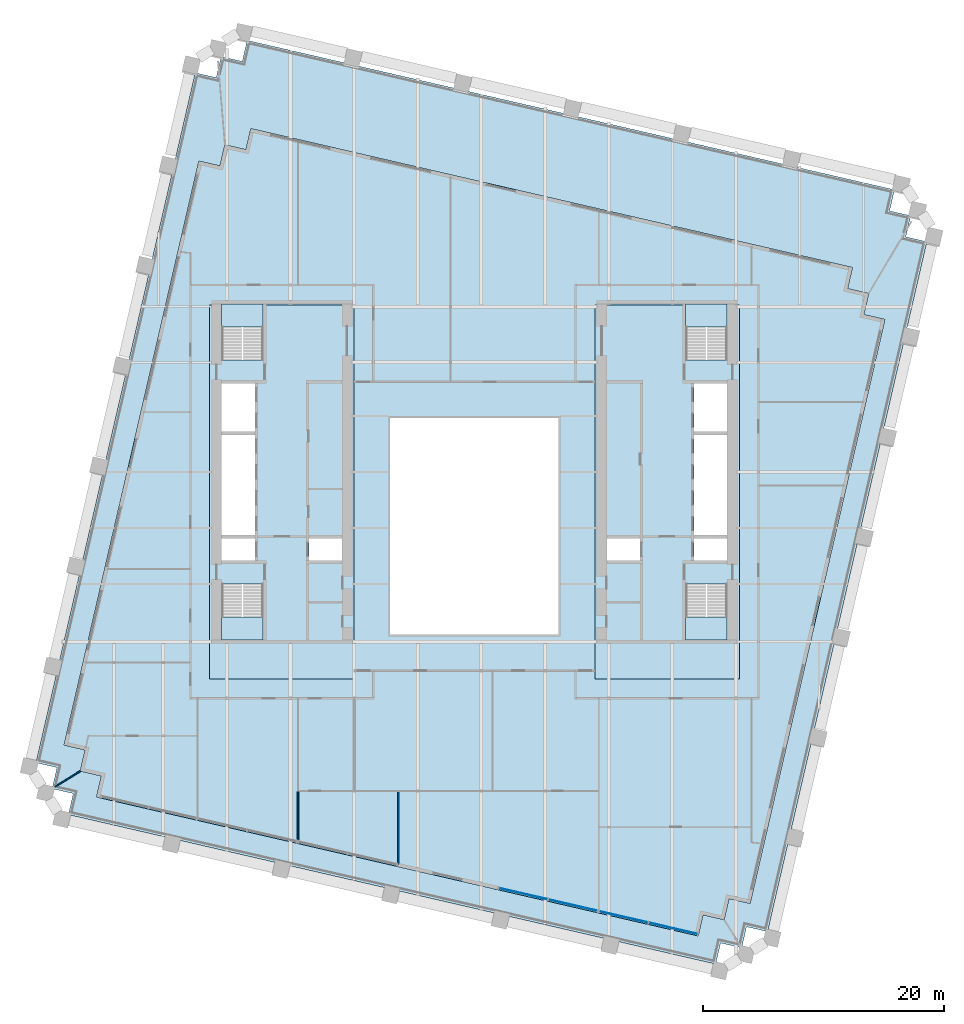
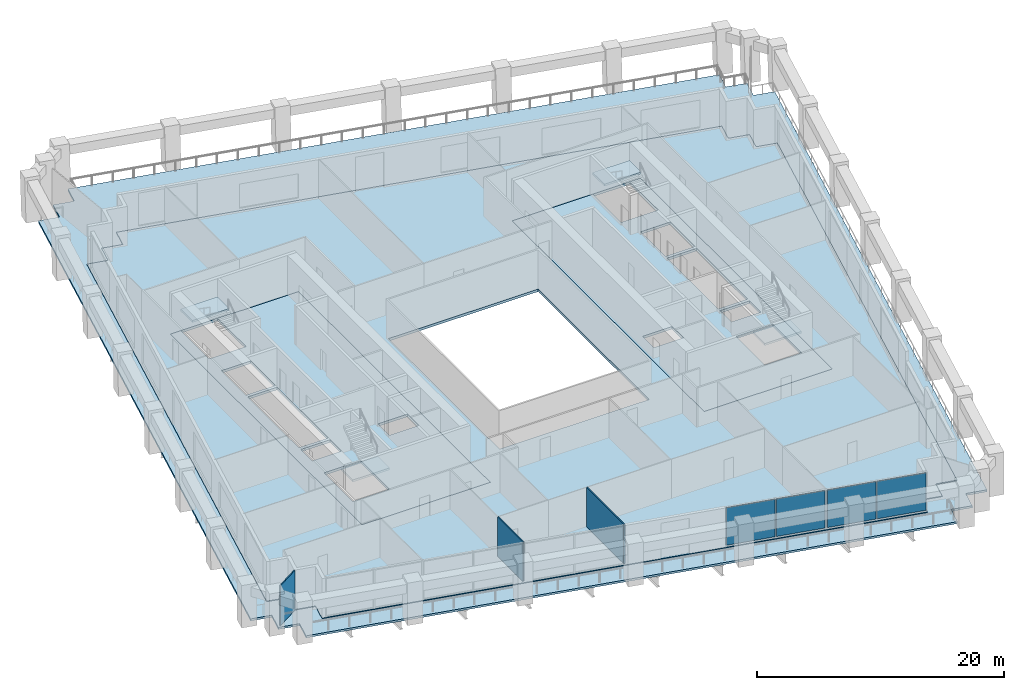
# One storey, part 5 of 12: 8 slabs, 4 plates, 3 walls, 6 elements without a shape of their own.
"""IFC4 building model written with IfcOpenShell, lengths in metres."""

import ifcopenshell
import ifcopenshell.guid

model = None  # the IFC model being written
_history = None  # IfcOwnerHistory: only IFC2X3 demands one
_inside = {}  # id of a spatial element -> (the spatial element, [elements in it])
_under = {}  # id of a project, library or spatial element -> (it, [spatial elements below it])
_declared = {}  # id of a project -> (the project, [libraries it declares])
_typed = {}  # id of a type object -> (the type object, [elements of that type])
_made_of = {}  # id of a material, layer set ... -> (it, [elements and type objects made of it])


def new_model(schema):
    """Start an empty IFC model of exactly this schema.

    Asked for "IFC4X3", IfcOpenShell would pick the latest addendum, in which some entities
    have other attributes; the version numbers below select the first issue.
    IFC2X3 requires an IfcOwnerHistory on every rooted entity: one is made here for all.
    """
    global model, _history
    if schema == "IFC4X3":
        model = ifcopenshell.file(schema_version=(4, 3, 0, 0))
    else:
        model = ifcopenshell.file(schema=schema)
    _inside.clear()
    _under.clear()
    _declared.clear()
    _typed.clear()
    _made_of.clear()
    _history = None
    if model.schema == "IFC2X3":
        org = make("IfcOrganization", Name="unknown")
        user = make(
            "IfcPersonAndOrganization",
            ThePerson=make("IfcPerson", FamilyName="unknown"),
            TheOrganization=org,
        )
        app = make(
            "IfcApplication",
            ApplicationDeveloper=org,
            Version="unknown",
            ApplicationFullName="unknown",
            ApplicationIdentifier="unknown",
        )
        _history = make(
            "IfcOwnerHistory",
            OwningUser=user,
            OwningApplication=app,
            ChangeAction="ADDED",
            CreationDate=0,
        )
    return model


def make(cls, **values):
    """One entity of the class cls with the attributes given. An attribute that is None is left unset."""
    return model.create_entity(
        cls, **{name: value for name, value in values.items() if value is not None}
    )


def rooted(cls, **values):
    """An entity with a GlobalId (a new one), such as an element, a storey or a relation."""
    return make(cls, GlobalId=ifcopenshell.guid.new(), OwnerHistory=_history, **values)


def si_unit(unit_type, name, prefix=None):
    """IfcSIUnit, for example si_unit("LENGTHUNIT", "METRE", prefix="MILLI")."""
    return make("IfcSIUnit", UnitType=unit_type, Prefix=prefix, Name=name)


def assignment(units):
    """IfcUnitAssignment: the units of a project."""
    return None if units is None else make("IfcUnitAssignment", Units=units)


def point(xyz):
    """IfcCartesianPoint."""
    return None if xyz is None else make("IfcCartesianPoint", Coordinates=xyz)


def direction(xyz):
    """IfcDirection."""
    return None if xyz is None else make("IfcDirection", DirectionRatios=xyz)


def frame(location, z_axis=None, x_axis=None):
    """IfcAxis2Placement3D, a coordinate frame: its origin and axes. An axis left out is left unset."""
    return make(
        "IfcAxis2Placement3D",
        Location=point(location),
        Axis=direction(z_axis),
        RefDirection=direction(x_axis),
    )


def frame_2d(location, x_axis=None):
    """IfcAxis2Placement2D, a coordinate frame in the plane: its origin and x axis."""
    return make(
        "IfcAxis2Placement2D", Location=point(location), RefDirection=direction(x_axis)
    )


def origin():
    """The frame at (0, 0, 0) with its axes left unset."""
    return frame((0.0, 0.0, 0.0))


def origin_2d():
    """The frame at (0, 0) in the plane with its x axis left unset."""
    return frame_2d((0.0, 0.0))


def place(relative_to, where):
    """IfcLocalPlacement: puts the frame where relative to a parent placement (None: the world)."""
    return make(
        "IfcLocalPlacement", PlacementRelTo=relative_to, RelativePlacement=where
    )


def context(
    kind, dimensions, precision=None, world=None, true_north=None, identifier=None
):
    """IfcGeometricRepresentationContext, for example the 3D "Model" context."""
    return make(
        "IfcGeometricRepresentationContext",
        ContextIdentifier=identifier,
        ContextType=kind,
        CoordinateSpaceDimension=dimensions,
        Precision=precision,
        WorldCoordinateSystem=world,
        TrueNorth=true_north,
    )


def subcontext(parent, identifier, kind, view, scale=None):
    """IfcGeometricRepresentationSubContext, for example "Body" below "Model"."""
    return make(
        "IfcGeometricRepresentationSubContext",
        ContextIdentifier=identifier,
        ContextType=kind,
        ParentContext=parent,
        TargetScale=scale,
        TargetView=view,
    )


def project(units=None, contexts=None):
    """IfcProject with its units and contexts."""
    return rooted(
        "IfcProject",
        Name="project",
        RepresentationContexts=contexts,
        UnitsInContext=assignment(units),
    )


def spatial(cls, under=None, at=None, **own):
    """A site, building, storey or space (cls), placed at a placement, below another one or the project."""
    s = rooted(cls, ObjectPlacement=at, **own)
    if under is not None:
        _under.setdefault(under.id(), (under, []))[1].append(s)
    return s


def polyline(points):
    """IfcPolyline through the points."""
    return make("IfcPolyline", Points=[point(p) for p in points])


def profile(cls, at=None, kind="AREA", **sizes):
    """A parametric profile (cls). Its sizes go by their IFC names, for example OverallWidth=200.0."""
    return make(cls, ProfileType=kind, Position=at, **sizes)


def rectangle(**sizes):
    """IfcRectangleProfileDef."""
    return profile("IfcRectangleProfileDef", **sizes)


def outline(outer, holes=None, kind="AREA"):
    """IfcArbitraryClosedProfileDef: a profile drawn as a closed curve; with holes, ...WithVoids."""
    if holes is None:
        return make("IfcArbitraryClosedProfileDef", ProfileType=kind, OuterCurve=outer)
    return make(
        "IfcArbitraryProfileDefWithVoids",
        ProfileType=kind,
        OuterCurve=outer,
        InnerCurves=holes,
    )


def extrude(swept, where, along, depth):
    """IfcExtrudedAreaSolid: the profile swept, set in the frame where, extruded along a direction by depth."""
    return make(
        "IfcExtrudedAreaSolid",
        SweptArea=swept,
        Position=where,
        ExtrudedDirection=direction(along),
        Depth=depth,
    )


def shape(context_of_items, identifier, shape_type, items):
    """IfcShapeRepresentation: the items that make up one representation, for example the "Body"."""
    return make(
        "IfcShapeRepresentation",
        ContextOfItems=context_of_items,
        RepresentationIdentifier=identifier,
        RepresentationType=shape_type,
        Items=items,
    )


def material(Name=None, Category=None):
    """IfcMaterial."""
    return make("IfcMaterial", Name=Name, Category=Category)


def layer(
    of_material, thickness, ventilated=None, Name=None, Category=None, Priority=None
):
    """IfcMaterialLayer: one layer of a wall or slab, of a material (None: an air gap)."""
    return make(
        "IfcMaterialLayer",
        Material=of_material,
        LayerThickness=thickness,
        IsVentilated=ventilated,
        Name=Name,
        Category=Category,
        Priority=Priority,
    )


def layer_set(layers, Name=None):
    """IfcMaterialLayerSet."""
    return make("IfcMaterialLayerSet", MaterialLayers=layers, LayerSetName=Name)


def made_of(thing, what):
    """Note that an element or type object is made of a material, layer set ...; save() writes the relation."""
    if what is not None:
        _made_of.setdefault(what.id(), (what, []))[1].append(thing)
    return thing


def type_object(cls, material=None, **own):
    """A type object (cls), such as IfcWallType, which elements share."""
    return made_of(rooted(cls, **own), material)


def element(
    cls,
    number,
    at=None,
    inside=None,
    cuts=None,
    type_object=None,
    material=None,
    context=None,
    identifier="Body",
    shape_type=None,
    held_by="IfcProductDefinitionShape",
    body=None,
    shapes=None,
    **own,
):
    """One element of the class cls, such as IfcWall. Its Tag is "e" and its number.

    at: its placement. inside: the storey or other place that contains it. cuts: it is an
    opening in that element (IfcRelVoidsElement). A single representation is given by context,
    identifier, shape_type and body (its items); several are given by shapes. held_by: the class
    of the entity that holds the representations. save() writes the other relations.
    """
    e = rooted(cls, Tag="e%d" % number, ObjectPlacement=at, **own)
    if body is not None:
        shapes = [shape(context, identifier, shape_type, body)]
    if shapes is not None:
        e.Representation = make(held_by, Representations=shapes)
    if inside is not None:
        _inside.setdefault(inside.id(), (inside, []))[1].append(e)
    if cuts is not None:
        rooted(
            "IfcRelVoidsElement", RelatingBuildingElement=cuts, RelatedOpeningElement=e
        )
    if type_object is not None:
        _typed.setdefault(type_object.id(), (type_object, []))[1].append(e)
    return made_of(e, material)


def aggregate(whole, parts):
    """IfcRelAggregates: a whole, such as a stair, and the parts it consists of."""
    return rooted("IfcRelAggregates", RelatingObject=whole, RelatedObjects=parts)


def save(model, path):
    """Write the relations noted so far, then the file.

    IfcRelAggregates (storeys below a building ...), IfcRelContainedInSpatialStructure (elements
    in a storey), IfcRelDefinesByType, IfcRelAssociatesMaterial and IfcRelDeclares: one each for
    every whole, place, type object, material and project.
    """
    for whole, parts in _under.values():
        aggregate(whole, parts)
    for where, things in _inside.values():
        rooted(
            "IfcRelContainedInSpatialStructure",
            RelatedElements=things,
            RelatingStructure=where,
        )
    for kind, things in _typed.values():
        rooted("IfcRelDefinesByType", RelatedObjects=things, RelatingType=kind)
    for what, things in _made_of.values():
        rooted("IfcRelAssociatesMaterial", RelatedObjects=things, RelatingMaterial=what)
    for by, libraries in _declared.values():
        rooted("IfcRelDeclares", RelatingContext=by, RelatedDefinitions=libraries)
    model.write(path)


model = new_model("IFC4")

# Units and contexts
model_context = context("Model", 3, precision=1e-05, world=origin(), true_north=direction((0.0, 1.0)))
body_context = subcontext(model_context, "Body", "Model", "MODEL_VIEW")
ifc_project = project(units=[si_unit("LENGTHUNIT", "METRE"), si_unit("AREAUNIT", "SQUARE_METRE"), si_unit("VOLUMEUNIT", "CUBIC_METRE"), si_unit("PLANEANGLEUNIT", "RADIAN"), si_unit("MASSUNIT", "GRAM", prefix="KILO")], contexts=[model_context])

# Site, building, storey
site_placement = place(None, origin())
site = spatial("IfcSite", under=ifc_project, at=site_placement, CompositionType="ELEMENT")
building_placement = place(site_placement, origin())
building = spatial("IfcBuilding", under=site, at=building_placement, Name="Ogive Exchange Tower", CompositionType="ELEMENT")
storey_placement = place(building_placement, frame((0.0, 0.0, 156.0)))
storey = spatial("IfcBuildingStorey", under=building, at=storey_placement, Name="L34", CompositionType="ELEMENT", Elevation=156.0)

# Slabs
ifc_material_1 = material(Name="Concrete C50/60", Category="concrete")
ifc_layer_1 = layer(ifc_material_1, 0.25)
ifc_layer_set_1 = layer_set([ifc_layer_1], Name="Composite floor slab 250")
slab_type_1 = type_object("IfcSlabType", Name="Composite floor slab 250", PredefinedType="FLOOR", material=ifc_layer_set_1)
slab_1_placement = place(storey_placement, frame((0.0, 0.0, -0.25)))
element("IfcSlab", 1, at=slab_1_placement, inside=storey, type_object=slab_type_1, Name="Composite floor slab", PredefinedType="FLOOR", context=body_context, shape_type="SweptSolid", body=[
    extrude(outline(polyline([(-30.998779296875, -13.74560546875), (-32.752685546875, -13.3408203125), (-32.34765625, -11.5869140625), (-34.1015625, -11.181884765625), (-22.89892578125, 37.341552734375), (-21.145263671875, 36.936767578125), (-20.740234375, 38.690673828125), (-18.986328125, 38.28564453125), (-18.58154296875, 40.03955078125), (31.40380859375, 28.49951171875), (30.998779296875, 26.74560546875), (32.752685546875, 26.3408203125), (32.34765625, 24.5869140625), (34.1015625, 24.181884765625), (22.89892578125, -24.341552734375), (21.145263671875, -23.936767578125), (20.740234375, -25.690673828125), (18.986328125, -25.28564453125), (18.58154296875, -27.03955078125), (-31.40380859375, -15.49951171875), (-30.998779296875, -13.74560546875)]), holes=[polyline([(7.0, -2.0), (7.0, 16.0), (-7.0, 16.0), (-7.0, -2.0), (7.0, -2.0)]), polyline([(-22.0, -5.699951171875), (-10.0, -5.699951171875), (-10.0, 25.39990234375), (-22.0, 25.39990234375), (-22.0, -5.699951171875)]), polyline([(10.0, -5.699951171875), (22.0, -5.699951171875), (22.0, 25.39990234375), (10.0, 25.39990234375), (10.0, -5.699951171875)])]), origin(), (0.0, 0.0, 1.0), 0.25),
])
ifc_material_2 = material(Name="Concrete C70/85", Category="concrete")
ifc_layer_2 = layer(ifc_material_2, 0.25)
ifc_layer_set_2 = layer_set([ifc_layer_2], Name="Core floor slab 250")
slab_type_2 = type_object("IfcSlabType", Name="Core floor slab 250", PredefinedType="FLOOR", material=ifc_layer_set_2)
slab_2_placement = place(storey_placement, frame((0.0, 0.0, -0.25)))
element("IfcSlab", 2, at=slab_2_placement, inside=storey, type_object=slab_type_2, Name="Core floor slab", PredefinedType="FLOOR", context=body_context, shape_type="SweptSolid", body=[
    extrude(outline(polyline([(-10.0, 25.39990234375), (-10.0, -5.699951171875), (-22.0, -5.699951171875), (-22.0, 25.39990234375), (-21.0, 25.39990234375), (-21.0, 20.803955078125), (-17.550048828125, 20.803955078125), (-17.550048828125, 25.39990234375), (-10.0, 25.39990234375)]), holes=[polyline([(-17.550048828125, 2.196044921875), (-21.0, 2.196044921875), (-21.0, -2.449951171875), (-17.550048828125, -2.449951171875), (-17.550048828125, 2.196044921875)]), polyline([(-18.25, 5.992919921875), (-21.0, 5.992919921875), (-21.0, 4.14990234375), (-18.25, 4.14990234375), (-18.25, 5.992919921875)]), polyline([(-11.0, 5.992919921875), (-13.75, 5.992919921875), (-13.75, 4.14990234375), (-11.0, 4.14990234375), (-11.0, 5.992919921875)]), polyline([(-21.0, 14.564208984375), (-21.0, 6.29296875), (-18.25, 6.29296875), (-18.25, 14.564208984375), (-21.0, 14.564208984375)]), polyline([(-18.25, 18.85009765625), (-21.0, 18.85009765625), (-21.0, 14.8642578125), (-18.25, 14.8642578125), (-18.25, 18.85009765625)])]), origin(), (0.0, 0.0, 1.0), 0.25),
])
slab_3_placement = place(storey_placement, frame((0.0, 0.0, -0.25)))
element("IfcSlab", 3, at=slab_3_placement, inside=storey, type_object=slab_type_2, Name="Core floor slab", PredefinedType="FLOOR", context=body_context, shape_type="SweptSolid", body=[
    extrude(outline(polyline([(22.0, 25.39990234375), (22.0, -5.699951171875), (10.0, -5.699951171875), (10.0, 25.39990234375), (17.550048828125, 25.39990234375), (17.550048828125, 20.803955078125), (21.0, 20.803955078125), (21.0, 25.39990234375), (22.0, 25.39990234375)]), holes=[polyline([(21.0, 2.196044921875), (17.550048828125, 2.196044921875), (17.550048828125, -2.449951171875), (21.0, -2.449951171875), (21.0, 2.196044921875)]), polyline([(13.75, 5.992919921875), (11.0, 5.992919921875), (11.0, 4.14990234375), (13.75, 4.14990234375), (13.75, 5.992919921875)]), polyline([(21.0, 5.992919921875), (18.25, 5.992919921875), (18.25, 4.14990234375), (21.0, 4.14990234375), (21.0, 5.992919921875)]), polyline([(18.25, 14.564208984375), (18.25, 6.29296875), (21.0, 6.29296875), (21.0, 14.564208984375), (18.25, 14.564208984375)]), polyline([(21.0, 18.85009765625), (18.25, 18.85009765625), (18.25, 14.8642578125), (21.0, 14.8642578125), (21.0, 18.85009765625)])]), origin(), (0.0, 0.0, 1.0), 0.25),
])
ifc_layer_3 = layer(ifc_material_1, 0.199951171875)
ifc_layer_set_3 = layer_set([ifc_layer_3], Name="Loggia deck 200")
slab_type_3 = type_object("IfcSlabType", Name="Loggia deck 200", PredefinedType="FLOOR", material=ifc_layer_set_3)
slab_4_placement = place(storey_placement, frame((0.0, 0.0, -0.25)))
element("IfcSlab", 4, at=slab_4_placement, inside=storey, type_object=slab_type_3, Name="Loggia deck", PredefinedType="FLOOR", context=body_context, shape_type="SweptSolid", body=[
    extrude(outline(polyline([(-33.33740234375, -15.20703125), (-35.09130859375, -14.802001953125), (-34.686279296875, -13.04833984375), (-36.440185546875, -12.643310546875), (-23.20703125, 44.67626953125), (-21.453125, 44.271240234375), (-21.048095703125, 46.025146484375), (-19.29443359375, 45.6201171875), (-18.889404296875, 47.3740234375), (34.895751953125, 34.956787109375), (34.49072265625, 33.202880859375), (36.24462890625, 32.798095703125), (35.83984375, 31.044189453125), (37.59375, 30.63916015625), (24.3603515625, -26.680419921875), (22.6064453125, -26.275390625), (22.20166015625, -28.029296875), (20.44775390625, -27.62451171875), (20.04296875, -29.378173828125), (-33.742431640625, -16.9609375), (-33.33740234375, -15.20703125)]), holes=[polyline([(18.986328125, -25.28564453125), (20.740234375, -25.690673828125), (21.145263671875, -23.936767578125), (22.89892578125, -24.341552734375), (34.1015625, 24.181884765625), (32.34765625, 24.5869140625), (32.752685546875, 26.3408203125), (30.998779296875, 26.74560546875), (31.40380859375, 28.49951171875), (-18.58154296875, 40.03955078125), (-18.986328125, 38.28564453125), (-20.740234375, 38.690673828125), (-21.145263671875, 36.936767578125), (-22.89892578125, 37.341552734375), (-34.1015625, -11.181884765625), (-32.34765625, -11.5869140625), (-32.752685546875, -13.3408203125), (-30.998779296875, -13.74560546875), (-31.40380859375, -15.49951171875), (18.58154296875, -27.03955078125), (18.986328125, -25.28564453125)])]), origin(), (0.0, 0.0, 1.0), 0.199951171875),
])

# Curtain wall, plates
ifc_material_3 = material(Name="Anodised aluminium and clear glass", Category="aluminium")
curtain_wall_type = type_object("IfcCurtainWallType", Name="Executive floor glazing", PredefinedType="NOTDEFINED", material=ifc_material_3)
curtain_wall_1_placement = place(storey_placement, origin())
curtain_wall_1 = element("IfcCurtainWall", 5, at=curtain_wall_1_placement, inside=storey, type_object=curtain_wall_type, Name="Executive floor glazing run G5", PredefinedType="NOTDEFINED")
ifc_material_4 = material(Name="Clear glass", Category="glass")
ifc_layer_4 = layer(ifc_material_4, 0.048095703125)
ifc_layer_set_4 = layer_set([ifc_layer_4], Name="Solar-control laminated glass panel 48")
plate_type = type_object("IfcPlateType", Name="Solar-control laminated glass panel 48", PredefinedType="CURTAIN_PANEL", material=ifc_layer_set_4)
plate_1_placement = place(storey_placement, frame((4.060546875, -23.533203125, 0.10009765625), z_axis=(0.0, 0.0, 1.0), x_axis=(0.974368521846, -0.224957737445, 0.0)))
plate_1 = element("IfcPlate", 6, at=plate_1_placement, type_object=plate_type, Name="G5 panel 1.1", PredefinedType="CURTAIN_PANEL", context=body_context, shape_type="SweptSolid", body=[
    extrude(rectangle(XDim=4.125, YDim=0.048095703125, at=origin_2d()), origin(), (0.0, 0.0, 1.0), 3.699951171875),
])
plate_2_placement = place(storey_placement, frame((8.17724609375, -24.483642578125, 0.10009765625), z_axis=(0.0, 0.0, 1.0), x_axis=(0.974368521846, -0.224957737445, 0.0)))
plate_2 = element("IfcPlate", 7, at=plate_2_placement, type_object=plate_type, Name="G5 panel 2.1", PredefinedType="CURTAIN_PANEL", context=body_context, shape_type="SweptSolid", body=[
    extrude(rectangle(XDim=4.125, YDim=0.048095703125, at=origin_2d()), origin(), (0.0, 0.0, 1.0), 3.699951171875),
])
aggregate(curtain_wall_1, [plate_1, plate_2])

curtain_wall_2_placement = place(storey_placement, origin())
curtain_wall_2 = element("IfcCurtainWall", 8, at=curtain_wall_2_placement, inside=storey, type_object=curtain_wall_type, Name="Executive floor glazing run G6", PredefinedType="NOTDEFINED")
plate_3_placement = place(storey_placement, frame((12.391357421875, -25.45654296875, 0.10009765625), z_axis=(0.0, 0.0, 1.0), x_axis=(0.974370493588, -0.224949196986, 0.0)))
plate_3 = element("IfcPlate", 9, at=plate_3_placement, type_object=plate_type, Name="G6 panel 1.1", PredefinedType="CURTAIN_PANEL", context=body_context, shape_type="SweptSolid", body=[
    extrude(rectangle(XDim=4.125, YDim=0.048095703125, at=origin_2d()), origin(), (0.0, 0.0, 1.0), 3.699951171875),
])
plate_4_placement = place(storey_placement, frame((16.508056640625, -26.406982421875, 0.10009765625), z_axis=(0.0, 0.0, 1.0), x_axis=(0.974370493588, -0.224949196986, 0.0)))
plate_4 = element("IfcPlate", 10, at=plate_4_placement, type_object=plate_type, Name="G6 panel 2.1", PredefinedType="CURTAIN_PANEL", context=body_context, shape_type="SweptSolid", body=[
    extrude(rectangle(XDim=4.125, YDim=0.048095703125, at=origin_2d()), origin(), (0.0, 0.0, 1.0), 3.699951171875),
])
aggregate(curtain_wall_2, [plate_3, plate_4])

# Stair, slab
ifc_material_5 = material(Name="Concrete C40/50", Category="concrete")
stair_type = type_object("IfcStairType", Name="Exit stair 1650 wide", PredefinedType="HALF_TURN_STAIR", material=ifc_material_5)
stair_1_placement = place(storey_placement, origin())
stair_1 = element("IfcStair", 11, at=stair_1_placement, inside=storey, type_object=stair_type, Name="L34 exit stair ST1", PredefinedType="HALF_TURN_STAIR")
ifc_layer_5 = layer(ifc_material_5, 0.199951171875)
ifc_layer_set_5 = layer_set([ifc_layer_5], Name="Stair landing 200 slab")
slab_type_4 = type_object("IfcSlabType", Name="Stair landing 200 slab", PredefinedType="LANDING", material=ifc_layer_set_5)
slab_5_placement = place(storey_placement, frame((0.0, 0.0, 1.89990234375)))
slab_5 = element("IfcSlab", 12, at=slab_5_placement, type_object=slab_type_4, Name="ST1 landing 1", PredefinedType="LANDING", context=body_context, shape_type="SweptSolid", body=[
    extrude(outline(polyline([(-21.0, -0.550048828125), (-21.0, -2.449951171875), (-17.550048828125, -2.449951171875), (-17.550048828125, -0.550048828125), (-21.0, -0.550048828125)])), origin(), (0.0, 0.0, 1.0), 0.2001953125),
])
aggregate(stair_1, [slab_5])

stair_2_placement = place(storey_placement, origin())
stair_2 = element("IfcStair", 13, at=stair_2_placement, inside=storey, type_object=stair_type, Name="L34 exit stair ST2", PredefinedType="HALF_TURN_STAIR")
slab_6_placement = place(storey_placement, frame((0.0, 0.0, 1.89990234375)))
slab_6 = element("IfcSlab", 14, at=slab_6_placement, type_object=slab_type_4, Name="ST2 landing 1", PredefinedType="LANDING", context=body_context, shape_type="SweptSolid", body=[
    extrude(outline(polyline([(-17.550048828125, 23.550048828125), (-17.550048828125, 25.449951171875), (-21.0, 25.449951171875), (-21.0, 23.550048828125), (-17.550048828125, 23.550048828125)])), origin(), (0.0, 0.0, 1.0), 0.2001953125),
])
aggregate(stair_2, [slab_6])

stair_3_placement = place(storey_placement, origin())
stair_3 = element("IfcStair", 15, at=stair_3_placement, inside=storey, type_object=stair_type, Name="L34 exit stair ST3", PredefinedType="HALF_TURN_STAIR")
slab_7_placement = place(storey_placement, frame((0.0, 0.0, 1.89990234375)))
slab_7 = element("IfcSlab", 16, at=slab_7_placement, type_object=slab_type_4, Name="ST3 landing 1", PredefinedType="LANDING", context=body_context, shape_type="SweptSolid", body=[
    extrude(outline(polyline([(17.550048828125, -0.550048828125), (17.550048828125, -2.449951171875), (21.0, -2.449951171875), (21.0, -0.550048828125), (17.550048828125, -0.550048828125)])), origin(), (0.0, 0.0, 1.0), 0.2001953125),
])
aggregate(stair_3, [slab_7])

stair_4_placement = place(storey_placement, origin())
stair_4 = element("IfcStair", 17, at=stair_4_placement, inside=storey, type_object=stair_type, Name="L34 exit stair ST4", PredefinedType="HALF_TURN_STAIR")
slab_8_placement = place(storey_placement, frame((0.0, 0.0, 1.89990234375)))
slab_8 = element("IfcSlab", 18, at=slab_8_placement, type_object=slab_type_4, Name="ST4 landing 1", PredefinedType="LANDING", context=body_context, shape_type="SweptSolid", body=[
    extrude(outline(polyline([(21.0, 23.550048828125), (21.0, 25.449951171875), (17.550048828125, 25.449951171875), (17.550048828125, 23.550048828125), (21.0, 23.550048828125)])), origin(), (0.0, 0.0, 1.0), 0.2001953125),
])
aggregate(stair_4, [slab_8])

# Walls
ifc_material_6 = material(Name="Laminated safety glass in steel frame", Category="steel")
ifc_layer_6 = layer(ifc_material_6, 0.10009765625)
ifc_layer_set_6 = layer_set([ifc_layer_6], Name="Loggia end screen 100")
wall_type_1 = type_object("IfcWallType", Name="Loggia end screen 100", PredefinedType="STANDARD", material=ifc_layer_set_6)
wall_1_placement = place(storey_placement, frame((-32.752685546875, -13.3408203125, -0.050048828125), z_axis=(0.0, 0.0, 1.0), x_axis=(-0.848059759764, -0.529900598103, 0.0)))
element("IfcWall", 19, at=wall_1_placement, inside=storey, type_object=wall_type_1, Name="Loggia end screen C4", PredefinedType="STANDARD", context=body_context, shape_type="SweptSolid", body=[
    extrude(rectangle(XDim=2.454833984375, YDim=0.10009765625, at=frame_2d((1.2275390625, 0.0))), origin(), (0.0, 0.0, 1.0), 3.949951171875),
])
ifc_material_7 = material(Name="Partition 100 gypsum")
ifc_layer_7 = layer(ifc_material_7, 0.10009765625)
ifc_layer_set_7 = layer_set([ifc_layer_7], Name="Partition 100 gypsum")
wall_type_2 = type_object("IfcWallType", Name="Partition 100 gypsum", PredefinedType="PARTITIONING", material=ifc_layer_set_7)
wall_2_placement = place(storey_placement, frame((-14.669921875, -19.137939453125, 0.0), z_axis=(0.0, 0.0, 1.0), x_axis=(0.0, 1.0, 0.0)))
element("IfcWall", 20, at=wall_2_placement, inside=storey, type_object=wall_type_2, Name="L34-PWL-016", PredefinedType="PARTITIONING", context=body_context, shape_type="SweptSolid", body=[
    extrude(rectangle(XDim=4.087890625, YDim=0.10009765625, at=frame_2d((2.0439453125, 0.0))), origin(), (0.0, 0.0, 1.0), 3.89990234375),
])
wall_3_placement = place(storey_placement, frame((-6.340087890625, -15.050048828125, 0.0), z_axis=(0.0, 0.0, 1.0), x_axis=(0.0, -1.0, 0.0)))
element("IfcWall", 21, at=wall_3_placement, inside=storey, type_object=wall_type_2, Name="L34-PWL-029", PredefinedType="PARTITIONING", context=body_context, shape_type="SweptSolid", body=[
    extrude(rectangle(XDim=6.010986328125, YDim=0.10009765625, at=frame_2d((3.00537109375, 0.0))), origin(), (0.0, 0.0, 1.0), 3.89990234375),
])

save(model, "model.ifc")
